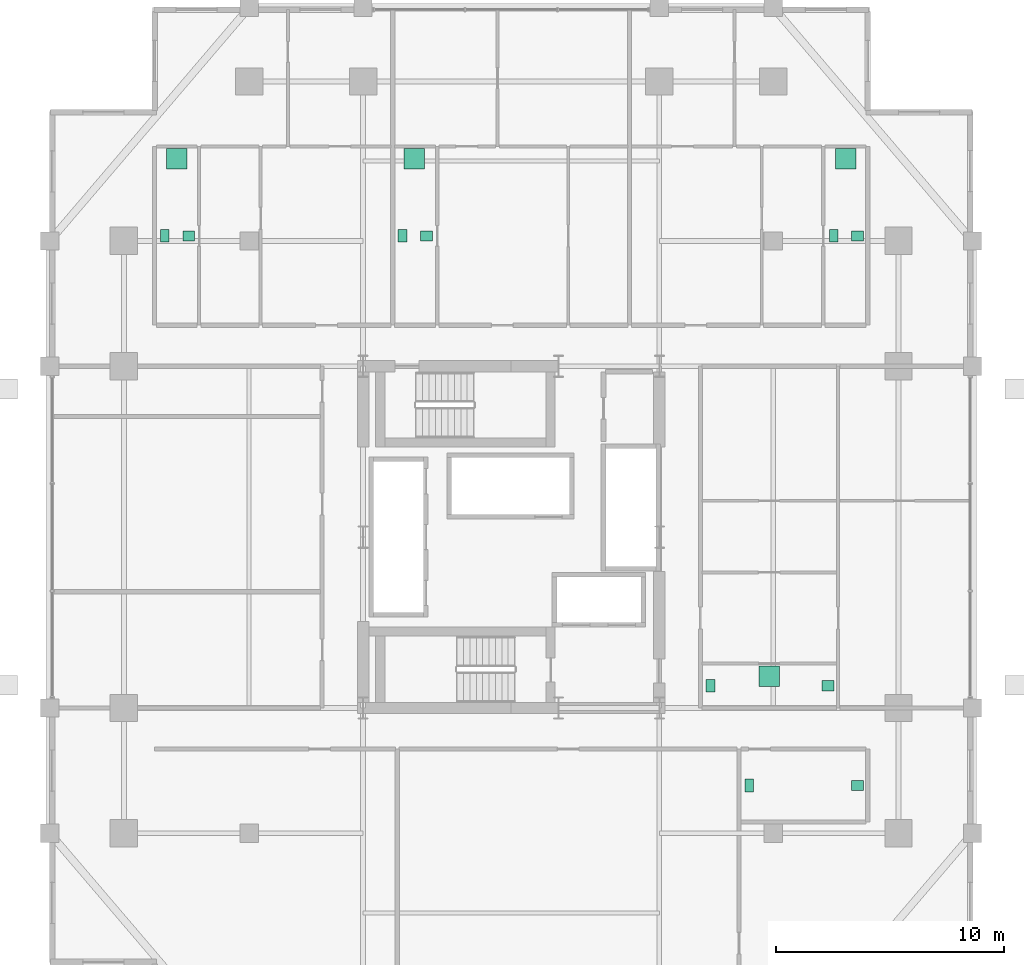
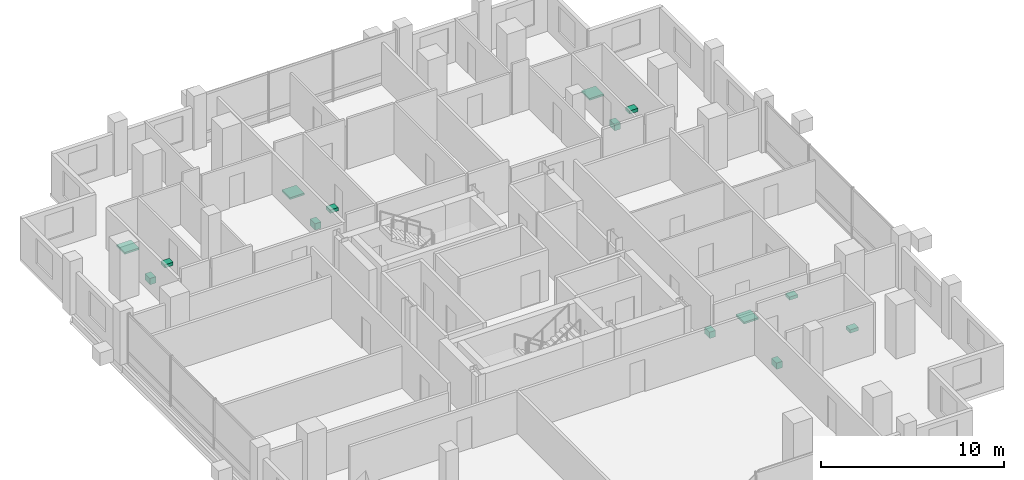
# One storey, part 19 of 19: 14 sanitary terminals.
"""IFC4 building model written with IfcOpenShell, lengths in metres."""

from ifc_helpers import new_model, si_unit, direction, frame, origin, origin_2d, place, context, subcontext, project, spatial, rectangle, extrude, material, type_object, element, save


model = new_model("IFC4")

# Units and contexts
model_context = context("Model", 3, precision=1e-05, world=origin(), true_north=direction((0.0, 1.0)))
body_context = subcontext(model_context, "Body", "Model", "MODEL_VIEW")
ifc_project = project(units=[si_unit("LENGTHUNIT", "METRE"), si_unit("AREAUNIT", "SQUARE_METRE"), si_unit("VOLUMEUNIT", "CUBIC_METRE"), si_unit("PLANEANGLEUNIT", "RADIAN"), si_unit("MASSUNIT", "GRAM", prefix="KILO")], contexts=[model_context])

# Site, building, storey
site_placement = place(None, origin())
site = spatial("IfcSite", under=ifc_project, at=site_placement, CompositionType="ELEMENT")
building_placement = place(site_placement, origin())
building = spatial("IfcBuilding", under=site, at=building_placement, Name="Barlavira Tower and Art Museum", CompositionType="ELEMENT")
storey_placement = place(building_placement, frame((0.0, 0.0, 113.39990234375)))
storey = spatial("IfcBuildingStorey", under=building, at=storey_placement, Name="L28", CompositionType="ELEMENT", Elevation=113.39990234375)

# Sanitary terminals
ifc_material = material(Name="Vitreous glazed ceramic", Category="ceramic")
sanitary_terminal_type_1 = type_object("IfcSanitaryTerminalType", Name="Countertop Ceramic Wash Hand Basin", PredefinedType="WASHHANDBASIN", material=ifc_material)
for number, where, z_axis, x_axis, name in (
    (1, (15.199951171875, -10.89990234375, 0.740234375), (0.0, 0.0, 1.0), (1.0, 0.0, 0.0), "L28-S-SWC Wash Basin"),
    (2, (-14.14990234375, 13.22509765625, 0.740234375), (0.0, 0.0, 1.0), (1.0, 0.0, 0.0), "L28-N1-BTH1 Wash Basin"),
    (3, (-3.719970703125, 13.22509765625, 0.740234375), (0.0, 0.0, 1.0), (1.0, 0.0, 0.0), "L28-N2-BTH1 Wash Basin"),
    (4, (15.199951171875, 13.22509765625, 0.740234375), (0.0, 0.0, 1.0), (1.0, 0.0, 0.0), "L28-N3-BTH1 Wash Basin"),
    (5, (13.89990234375, -6.52490234375, 0.740234375), (0.0, 0.0, 1.0), (1.0, 0.0, 0.0), "L28-E1-BTH1 Wash Basin"),
):
    element("IfcSanitaryTerminal", number, at=place(storey_placement, frame(where, z_axis=z_axis, x_axis=x_axis)), inside=storey, type_object=sanitary_terminal_type_1, Name=name, PredefinedType="WASHHANDBASIN", context=body_context, shape_type="SweptSolid", body=[
        extrude(rectangle(XDim=0.52001953125, YDim=0.43994140625, at=origin_2d()), origin(), (0.0, 0.0, 1.0), 0.219970703125),
    ])
sanitary_terminal_type_2 = type_object("IfcSanitaryTerminalType", Name="Walk-In Thermostatic Rain Shower Unit", PredefinedType="SHOWER", material=ifc_material)
for number, where, z_axis, x_axis, name in (
    (6, (-14.675048828125, 16.60009765625, 0.0), (0.0, 0.0, 1.0), (1.0, 0.0, 0.0), "L28-N1-BTH1 Rain Shower"),
    (7, (-4.2451171875, 16.60009765625, 0.0), (0.0, 0.0, 1.0), (1.0, 0.0, 0.0), "L28-N2-BTH1 Rain Shower"),
    (8, (14.675048828125, 16.60009765625, 0.0), (0.0, 0.0, 1.0), (1.0, 0.0, 0.0), "L28-N3-BTH1 Rain Shower"),
    (9, (11.324951171875, -6.10009765625, 0.0), (0.0, 0.0, 1.0), (1.0, 0.0, 0.0), "L28-E1-BTH1 Rain Shower"),
):
    element("IfcSanitaryTerminal", number, at=place(storey_placement, frame(where, z_axis=z_axis, x_axis=x_axis)), inside=storey, type_object=sanitary_terminal_type_2, Name=name, PredefinedType="SHOWER", context=body_context, shape_type="SweptSolid", body=[
        extrude(rectangle(XDim=0.89990234375, YDim=0.89990234375, at=origin_2d()), origin(), (0.0, 0.0, 1.0), 0.1201171875),
    ])
sanitary_terminal_type_3 = type_object("IfcSanitaryTerminalType", Name="Wall-Hung Dual-Flush Vitreous WC Pan", PredefinedType="TOILETPAN", material=ifc_material)
for number, where, z_axis, x_axis, name in (
    (10, (10.449951171875, -10.89990234375, 0.000244140625), (0.0, 0.0, 1.0), (1.0, 0.0, 0.0), "L28-S-SWC WC Pan"),
    (11, (-15.199951171875, 13.22509765625, 0.000244140625), (0.0, 0.0, 1.0), (1.0, 0.0, 0.0), "L28-N1-BTH1 WC Pan"),
    (12, (-4.77001953125, 13.22509765625, 0.000244140625), (0.0, 0.0, 1.0), (1.0, 0.0, 0.0), "L28-N2-BTH1 WC Pan"),
    (13, (14.14990234375, 13.22509765625, 0.000244140625), (0.0, 0.0, 1.0), (1.0, 0.0, 0.0), "L28-N3-BTH1 WC Pan"),
    (14, (8.75, -6.52490234375, 0.000244140625), (0.0, 0.0, 1.0), (1.0, 0.0, 0.0), "L28-E1-BTH1 WC Pan"),
):
    element("IfcSanitaryTerminal", number, at=place(storey_placement, frame(where, z_axis=z_axis, x_axis=x_axis)), inside=storey, type_object=sanitary_terminal_type_3, Name=name, PredefinedType="TOILETPAN", context=body_context, shape_type="SweptSolid", body=[
        extrude(rectangle(XDim=0.3798828125, YDim=0.56005859375, at=origin_2d()), origin(), (0.0, 0.0, 1.0), 0.419921875),
    ])

save(model, "model.ifc")
